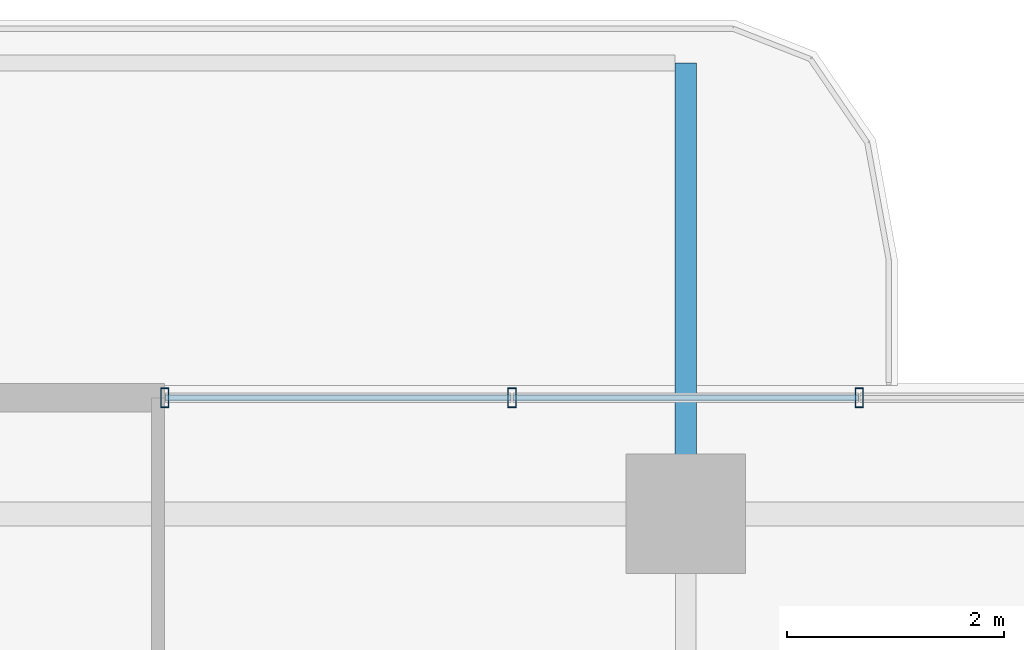
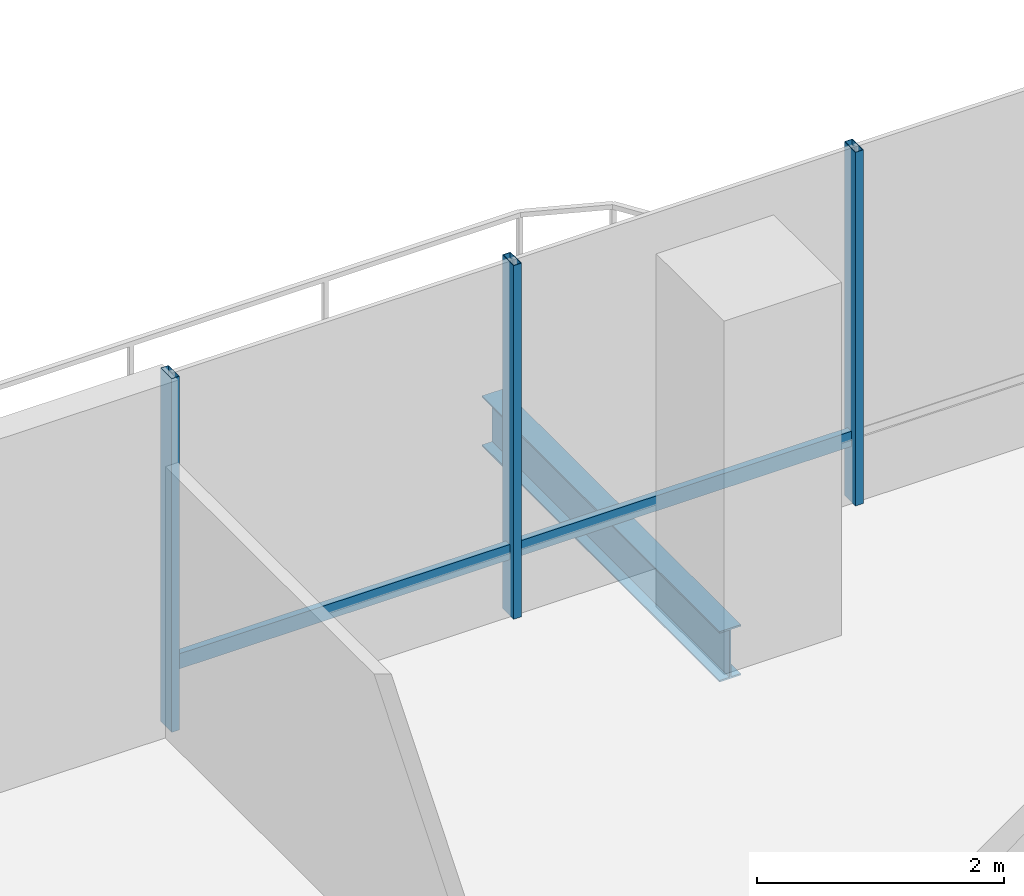
# One storey, part 11 of 24: 5 members, 1 beam, 1 element without a shape of its own.
"""IFC4 building model written with IfcOpenShell, lengths in metres."""

from ifc_helpers import new_model, si_unit, direction, frame, origin, origin_2d, place, context, subcontext, project, spatial, hollow_rectangle, i_section, extrude, material, layer, layer_set, material_profile, profile_set, type_object, element, aggregate, save


model = new_model("IFC4")

# Units and contexts
model_context = context("Model", 3, precision=1e-05, world=origin(), true_north=direction((0.0, 1.0)))
body_context = subcontext(model_context, "Body", "Model", "MODEL_VIEW")
ifc_project = project(units=[si_unit("LENGTHUNIT", "METRE"), si_unit("AREAUNIT", "SQUARE_METRE"), si_unit("VOLUMEUNIT", "CUBIC_METRE"), si_unit("PLANEANGLEUNIT", "RADIAN"), si_unit("MASSUNIT", "GRAM", prefix="KILO")], contexts=[model_context])

# Site, building, storey
site_placement = place(None, origin())
site = spatial("IfcSite", under=ifc_project, at=site_placement, CompositionType="ELEMENT")
building_placement = place(site_placement, origin())
building = spatial("IfcBuilding", under=site, at=building_placement, Name="Belovzor Exchange Tower", CompositionType="ELEMENT")
storey_placement = place(building_placement, frame((0.0, 0.0, 237.449951171875)))
storey = spatial("IfcBuildingStorey", under=building, at=storey_placement, Name="L59", CompositionType="ELEMENT", Elevation=237.449951171875)

# Beam
ifc_material_1 = material(Name="Steel S355", Category="steel")
ifc_material_profile_1 = material_profile(ifc_material_1, i_section(OverallWidth=0.199951171875, OverallDepth=0.5, WebThickness=0.01025390625, FlangeThickness=0.01611328125, at=origin_2d()))
ifc_profile_set_1 = profile_set([ifc_material_profile_1], Name="Steel S355")
beam_type = type_object("IfcBeamType", Name="Planted Balcony Cantilever Beam IPE 500", PredefinedType="BEAM", material=ifc_profile_set_1)
beam_placement = place(storey_placement, frame((28.800048828125, 54.903076171875, -0.5), z_axis=(0.0, 1.0, 0.0), x_axis=(-1.0, 0.0, 0.0)))
element("IfcBeam", 1, at=beam_placement, inside=storey, type_object=beam_type, Name="BC-500 Planted Balcony Cantilever Beam IPE 500", PredefinedType="BEAM", context=body_context, shape_type="SweptSolid", body=[
    extrude(i_section(OverallWidth=0.199951171875, OverallDepth=0.5, WebThickness=0.01025390625, FlangeThickness=0.01611328125, at=origin_2d()), origin(), (0.0, 0.0, 1.0), 3.849853515625),
])

# Curtain wall, members
ifc_material_2 = material(Name="Anodised Aluminium Framing", Category="aluminium")
ifc_layer = layer(ifc_material_2, 0.179931640625)
ifc_layer_set = layer_set([ifc_layer], Name="Anodised Aluminium Framing")
curtain_wall_type = type_object("IfcCurtainWallType", Name="Recessed Loggia Low-Iron Triple-Glazed Curtain Wall", PredefinedType="NOTDEFINED", material=ifc_layer_set)
curtain_wall_placement = place(storey_placement, origin())
curtain_wall = element("IfcCurtainWall", 2, at=curtain_wall_placement, inside=storey, type_object=curtain_wall_type, Name="CW3 Recessed Loggia Low-Iron Triple-Glazed Curtain Wall L59", PredefinedType="NOTDEFINED")
ifc_material_3 = material(Name="Steel S355", Category="steel")
ifc_material_profile_2 = material_profile(ifc_material_3, hollow_rectangle(XDim=0.074951171875, YDim=0.179931640625, WallThickness=0.0048828125, at=origin_2d()))
ifc_profile_set_2 = profile_set([ifc_material_profile_2], Name="Steel S355")
member_type_1 = type_object("IfcMemberType", Name="Thermally Broken Curtain Wall Mullion 180x75", PredefinedType="MULLION", material=ifc_profile_set_2)
member_1_placement = place(storey_placement, frame((24.0, 55.669921875, 0.0), z_axis=(0.0, 0.0, 1.0), x_axis=(1.0, 0.0, 0.0)))
member_1 = element("IfcMember", 3, at=member_1_placement, type_object=member_type_1, Name="CW-M180 Curtain Wall Mullion 1", PredefinedType="MULLION", context=body_context, shape_type="SweptSolid", body=[
    extrude(hollow_rectangle(XDim=0.074951171875, YDim=0.179931640625, WallThickness=0.0048828125, at=origin_2d()), origin(), (0.0, 0.0, 1.0), 3.5),
])
member_2_placement = place(storey_placement, frame((27.199951171875, 55.669921875, 0.0), z_axis=(0.0, 0.0, 1.0), x_axis=(1.0, 0.0, 0.0)))
member_2 = element("IfcMember", 4, at=member_2_placement, type_object=member_type_1, Name="CW-M180 Curtain Wall Mullion 2", PredefinedType="MULLION", context=body_context, shape_type="SweptSolid", body=[
    extrude(hollow_rectangle(XDim=0.074951171875, YDim=0.179931640625, WallThickness=0.0048828125, at=origin_2d()), origin(), (0.0, 0.0, 1.0), 3.5),
])
member_3_placement = place(storey_placement, frame((30.39990234375, 55.669921875, 0.0), z_axis=(0.0, 0.0, 1.0), x_axis=(1.0, 0.0, 0.0)))
member_3 = element("IfcMember", 5, at=member_3_placement, type_object=member_type_1, Name="CW-M180 Curtain Wall Mullion 3", PredefinedType="MULLION", context=body_context, shape_type="SweptSolid", body=[
    extrude(hollow_rectangle(XDim=0.074951171875, YDim=0.179931640625, WallThickness=0.0048828125, at=origin_2d()), origin(), (0.0, 0.0, 1.0), 3.5),
])
ifc_material_4 = material(Name="Steel S355", Category="steel")
ifc_material_profile_3 = material_profile(ifc_material_4, hollow_rectangle(XDim=0.06005859375, YDim=0.14990234375, WallThickness=0.00390625, at=origin_2d()))
ifc_profile_set_3 = profile_set([ifc_material_profile_3], Name="Steel S355")
member_type_2 = type_object("IfcMemberType", Name="Thermally Broken Curtain Wall Transom 150x60", PredefinedType="USERDEFINED", material=ifc_profile_set_3)
member_4_placement = place(storey_placement, frame((24.008056640625, 55.669921875, 0.630126953125), z_axis=(1.0, 0.0, 0.0), x_axis=(0.0, 1.0, 0.0)))
member_4 = element("IfcMember", 6, at=member_4_placement, type_object=member_type_2, Name="CW-T150 Curtain Wall Transom 1", ObjectType="TRANSOM", PredefinedType="USERDEFINED", context=body_context, shape_type="SweptSolid", body=[
    extrude(hollow_rectangle(XDim=0.06005859375, YDim=0.14990234375, WallThickness=0.00390625, at=origin_2d()), origin(), (0.0, 0.0, 1.0), 3.183837890625),
])
member_5_placement = place(storey_placement, frame((27.2080078125, 55.669921875, 0.630126953125), z_axis=(1.0, 0.0, 0.0), x_axis=(0.0, 1.0, 0.0)))
member_5 = element("IfcMember", 7, at=member_5_placement, type_object=member_type_2, Name="CW-T150 Curtain Wall Transom 2", ObjectType="TRANSOM", PredefinedType="USERDEFINED", context=body_context, shape_type="SweptSolid", body=[
    extrude(hollow_rectangle(XDim=0.06005859375, YDim=0.14990234375, WallThickness=0.00390625, at=origin_2d()), origin(), (0.0, 0.0, 1.0), 3.18408203125),
])
aggregate(curtain_wall, [member_1, member_2, member_3, member_4, member_5])

save(model, "model.ifc")
